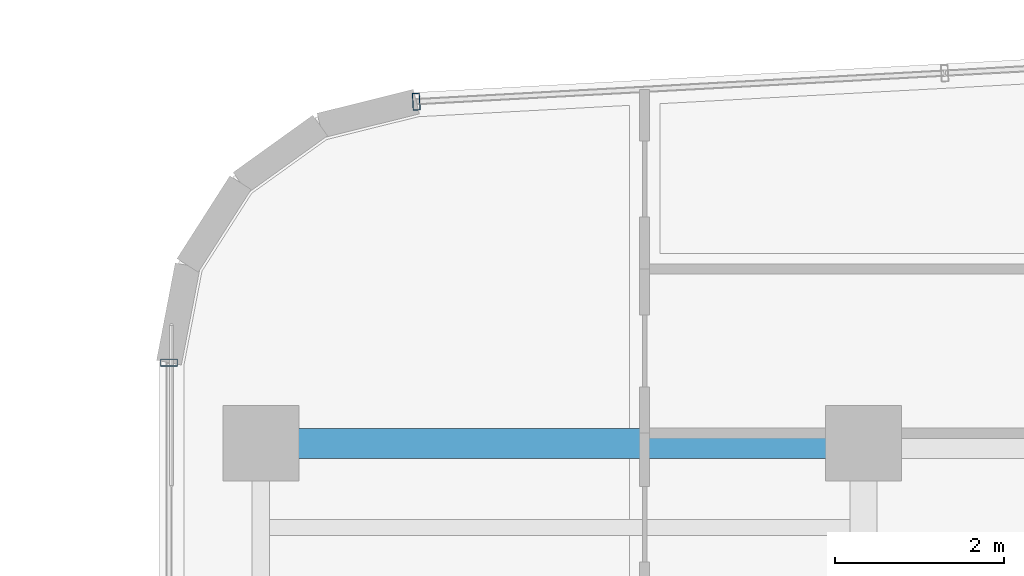
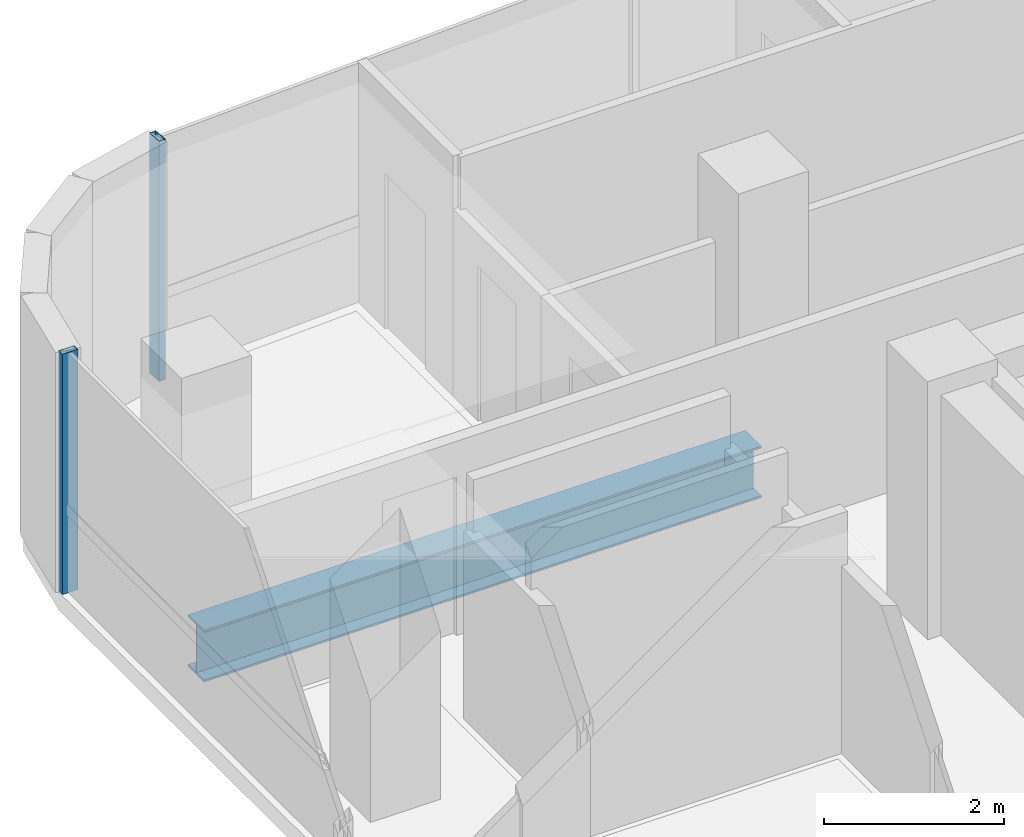
# One storey, part 13 of 24: 2 members, 1 beam, 2 elements without a shape of their own.
"""IFC4 building model written with IfcOpenShell, lengths in metres."""

from ifc_helpers import new_model, si_unit, direction, frame, origin, origin_2d, place, context, subcontext, project, spatial, hollow_rectangle, i_section, extrude, source, transform, mapped, material, material_profile, profile_set, type_object, element, aggregate, save


model = new_model("IFC4")

# Units and contexts
model_context = context("Model", 3, precision=1e-05, world=origin(), true_north=direction((0.0, 1.0)))
body_context = subcontext(model_context, "Body", "Model", "MODEL_VIEW")
ifc_project = project(units=[si_unit("LENGTHUNIT", "METRE"), si_unit("AREAUNIT", "SQUARE_METRE"), si_unit("VOLUMEUNIT", "CUBIC_METRE"), si_unit("PLANEANGLEUNIT", "RADIAN"), si_unit("MASSUNIT", "GRAM", prefix="KILO")], contexts=[model_context])

# Site, building, storey
site_placement = place(None, origin())
site = spatial("IfcSite", under=ifc_project, at=site_placement, CompositionType="ELEMENT")
building_placement = place(site_placement, origin())
building = spatial("IfcBuilding", under=site, at=building_placement, Name="Valdorenza Pilgrim Sanctuary Tower", CompositionType="ELEMENT")
storey_placement = place(building_placement, frame((0.0, 0.0, 205.5)))
storey = spatial("IfcBuildingStorey", under=building, at=storey_placement, Name="L52", CompositionType="ELEMENT", Elevation=205.5)

# Beam
ifc_material_1 = material(Name="Steel ASTM A992 Grade 50", Category="steel")
ifc_material_profile_1 = material_profile(ifc_material_1, i_section(OverallWidth=0.35595703125, OverallDepth=0.700927734375, WebThickness=0.016845703125, FlangeThickness=0.02734375, at=origin_2d()), Name="W27X161")
ifc_profile_set_1 = profile_set([ifc_material_profile_1], Name="Steel ASTM A992 Grade 50")
beam_type = type_object("IfcBeamType", Name="STR-BM-GRD-W27", PredefinedType="BEAM", material=ifc_profile_set_1)
shared_shape_1 = source(origin(), body_context, "Body", "SweptSolid", [
    extrude(i_section(OverallWidth=0.35595703125, OverallDepth=0.700927734375, WebThickness=0.016845703125, FlangeThickness=0.02734375, at=origin_2d()), origin(), (0.0, 0.0, 1.0), 7.150146484375),
])
beam_placement = place(storey_placement, frame((-29.800048828125, 14.800048828125, -0.590576171875), z_axis=(1.0, 0.0, 0.0), x_axis=(0.0, 1.0, 0.0)))
element("IfcBeam", 1, at=beam_placement, inside=storey, type_object=beam_type, Name="L52 Floor Girder WA-XW-N2", PredefinedType="BEAM", context=body_context, shape_type="MappedRepresentation", body=[
    mapped(shared_shape_1, transform((0.0, 0.0, 0.0), x_axis=(1.0, 0.0, 0.0), y_axis=(0.0, 1.0, 0.0), z_axis=(0.0, 0.0, 1.0), scale=1.0)),
])

# Curtain wall, member
ifc_material_2 = material(Name="Curtain-wall IGU glazing", Category="glass")
curtain_wall_type = type_object("IfcCurtainWallType", Name="CW-SYS-02", PredefinedType="NOTDEFINED", material=ifc_material_2)
curtain_wall_1_placement = place(storey_placement, origin())
curtain_wall_1 = element("IfcCurtainWall", 2, at=curtain_wall_1_placement, inside=storey, type_object=curtain_wall_type, Name="L52 Curtain Wall CW-L52-1-1S2", PredefinedType="NOTDEFINED")
ifc_material_3 = material(Name="Anodised aluminium AW-6060", Category="aluminium")
ifc_material_profile_2 = material_profile(ifc_material_3, hollow_rectangle(XDim=0.0849609375, YDim=0.199951171875, WallThickness=0.0048828125, at=origin_2d()), Name="ALU-M 200x85x5")
ifc_profile_set_2 = profile_set([ifc_material_profile_2], Name="Anodised aluminium AW-6060")
member_type = type_object("IfcMemberType", Name="CW-MUL-02", PredefinedType="MULLION", material=ifc_profile_set_2)
shared_shape_2 = source(origin(), body_context, "Body", "SweptSolid", [
    extrude(hollow_rectangle(XDim=0.0849609375, YDim=0.199951171875, WallThickness=0.0048828125, at=origin_2d()), origin(), (0.0, 0.0, 1.0), 3.260009765625),
])
member_1_placement = place(storey_placement, frame((-30.889892578125, 15.757568359375, 0.0), z_axis=(0.0, 0.0, 1.0), x_axis=(0.0, 1.0, 0.0)))
member_1 = element("IfcMember", 3, at=member_1_placement, type_object=member_type, Name="CW-L52-1-1S2 Mullion 4", PredefinedType="MULLION", context=body_context, shape_type="MappedRepresentation", body=[
    mapped(shared_shape_2, transform((0.0, 0.0, 0.0), x_axis=(1.0, 0.0, 0.0), y_axis=(0.0, 1.0, 0.0), z_axis=(0.0, 0.0, 1.0), scale=1.0)),
])
aggregate(curtain_wall_1, [member_1])

curtain_wall_2_placement = place(storey_placement, origin())
curtain_wall_2 = element("IfcCurtainWall", 4, at=curtain_wall_2_placement, inside=storey, type_object=curtain_wall_type, Name="L52 Curtain Wall CW-L52-1-6", PredefinedType="NOTDEFINED")
member_2_placement = place(storey_placement, frame((-27.9560546875, 18.85400390625, 0.0), z_axis=(0.0, 0.0, 1.0), x_axis=(0.998547034311, 0.053887106711, 0.0)))
member_2 = element("IfcMember", 5, at=member_2_placement, type_object=member_type, Name="CW-L52-1-6 Mullion 1", PredefinedType="MULLION", context=body_context, shape_type="MappedRepresentation", body=[
    mapped(shared_shape_2, transform((0.0, 0.0, 0.0), x_axis=(1.0, 0.0, 0.0), y_axis=(0.0, 1.0, 0.0), z_axis=(0.0, 0.0, 1.0), scale=1.0)),
])
aggregate(curtain_wall_2, [member_2])

save(model, "model.ifc")
